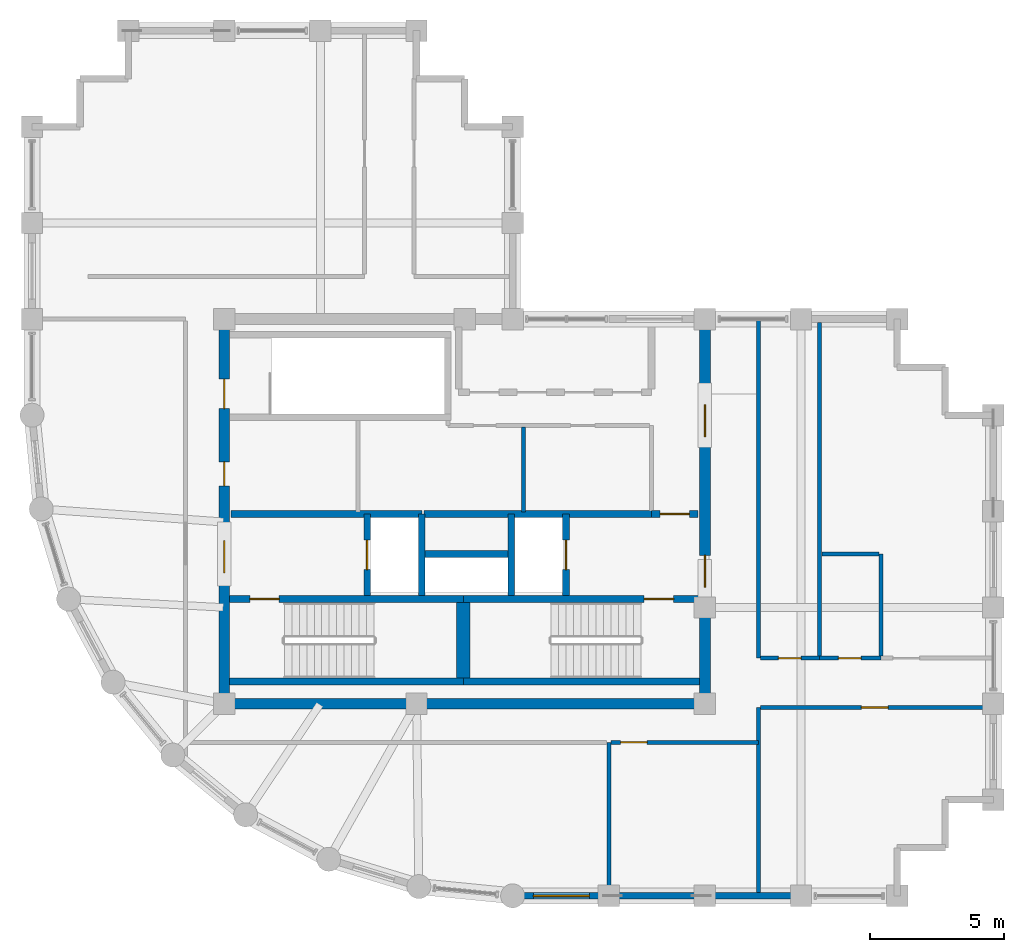
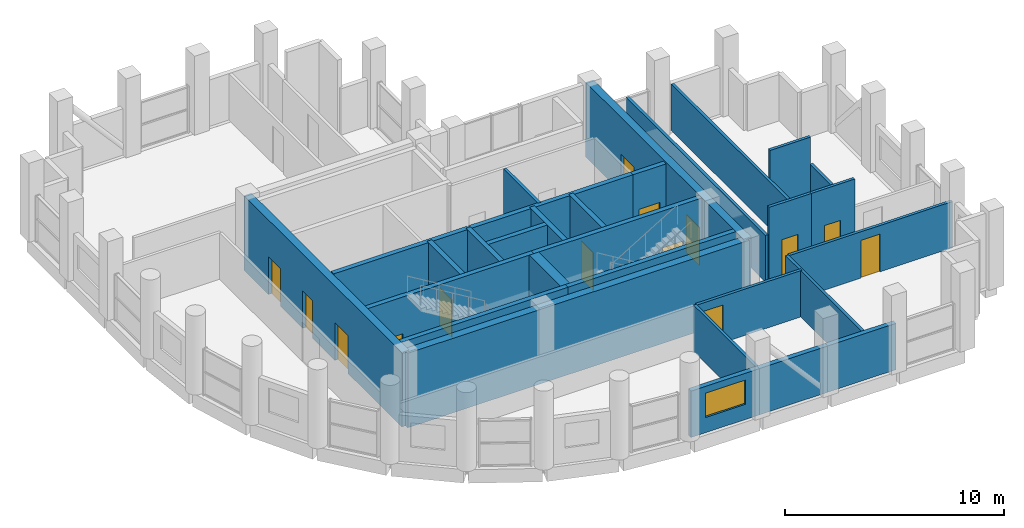
# One storey, part 11 of 14: 30 walls, 14 doors, 1 window, 15 openings.
"""IFC4 building model written with IfcOpenShell, lengths in metres."""

from ifc_helpers import new_model, si_unit, direction, frame, frame_2d, origin, place, context, subcontext, project, spatial, rectangle, extrude, material, layer, layer_set, type_object, element, fill, save


model = new_model("IFC4")

# Units and contexts
model_context = context("Model", 3, precision=1e-05, world=origin(), true_north=direction((0.0, 1.0)))
body_context = subcontext(model_context, "Body", "Model", "MODEL_VIEW")
ifc_project = project(units=[si_unit("LENGTHUNIT", "METRE"), si_unit("AREAUNIT", "SQUARE_METRE"), si_unit("VOLUMEUNIT", "CUBIC_METRE"), si_unit("PLANEANGLEUNIT", "RADIAN"), si_unit("MASSUNIT", "GRAM", prefix="KILO")], contexts=[model_context])

# Site, building, storey
site_placement = place(None, origin())
site = spatial("IfcSite", under=ifc_project, at=site_placement, CompositionType="ELEMENT")
building_placement = place(site_placement, origin())
building = spatial("IfcBuilding", under=site, at=building_placement, Name="Solnavia Interchange Tower", CompositionType="ELEMENT")
storey_placement = place(building_placement, frame((0.0, 0.0, 299.800048828125)))
storey = spatial("IfcBuildingStorey", under=building, at=storey_placement, Name="L76", CompositionType="ELEMENT", Elevation=299.800048828125)

# Wall, opening, window
ifc_material_1 = material(Name="Concrete C40/50", Category="concrete")
ifc_layer_1 = layer(ifc_material_1, 0.25)
ifc_layer_set_1 = layer_set([ifc_layer_1], Name="Concrete C40/50")
wall_type_1 = type_object("IfcWallType", Name="Wall-ExtSpandrel-250", PredefinedType="STANDARD", material=ifc_layer_set_1)
wall_1_placement = place(storey_placement, frame((28.800048828125, 3.60009765625, 0.0), z_axis=(0.0, 0.0, 1.0), x_axis=(-1.0, 0.0, 0.0)))
wall_1 = element("IfcWall", 1, at=wall_1_placement, inside=storey, type_object=wall_type_1, Name="EXW-L76-01 Exterior precast spandrel wall", PredefinedType="STANDARD", context=body_context, shape_type="SweptSolid", body=[
    extrude(rectangle(XDim=3.60009765625, YDim=0.25, at=frame_2d((1.800048828125, 0.0))), origin(), (0.0, 0.0, 1.0), 2.579833984375),
])
opening_1_placement = place(wall_1_placement, frame((0.72509765625, 0.0, 0.85009765625)))
opening_1 = element("IfcOpeningElement", 2, at=opening_1_placement, cuts=wall_1, Name="Opening WIN-01", PredefinedType="OPENING", context=body_context, shape_type="SweptSolid", body=[
    extrude(rectangle(XDim=2.10009765625, YDim=1.35009765625, at=frame_2d((1.050048828125, 0.675048828125))), frame((0.0, 0.135009765625, 0.0), z_axis=(0.0, -1.0, 0.0), x_axis=(1.0, 0.0, 0.0)), (0.0, 0.0, 1.0), 0.27001953125),
])
ifc_material_2 = material(Name="Thermal-Break Aluminium & Low-E Glass", Category="aluminium")
window_type = type_object("IfcWindowType", Name="Window-Ribbon-2100x1350", PartitioningType="SINGLE_PANEL", PredefinedType="WINDOW", material=ifc_material_2)
window_placement = place(opening_1_placement, origin())
window = element("IfcWindow", 3, at=window_placement, inside=storey, type_object=window_type, Name="WIN-L76-01 Facade ribbon window", OverallHeight=1.35009765625, OverallWidth=2.10009765625, PartitioningType="SINGLE_PANEL", PredefinedType="WINDOW", context=body_context, shape_type="SweptSolid", body=[
    extrude(rectangle(XDim=2.10009765625, YDim=1.35009765625, at=frame_2d((1.050048828125, 0.675048828125))), frame((0.0, 0.030029296875, 0.0), z_axis=(0.0, -1.0, 0.0), x_axis=(1.0, 0.0, 0.0)), (0.0, 0.0, 1.0), 0.06005859375),
])
fill(opening_1, window)

# Walls
wall_2_placement = place(storey_placement, frame((32.39990234375, 3.60009765625, 0.0), z_axis=(0.0, 0.0, 1.0), x_axis=(-1.0, 0.0, 0.0)))
element("IfcWall", 4, at=wall_2_placement, inside=storey, type_object=wall_type_1, Name="EXW-L76-02 Exterior precast spandrel wall", PredefinedType="STANDARD", context=body_context, shape_type="SweptSolid", body=[
    extrude(rectangle(XDim=3.599853515625, YDim=0.25, at=frame_2d((1.7998046875, 0.0))), origin(), (0.0, 0.0, 1.0), 2.579833984375),
])
wall_3_placement = place(storey_placement, frame((36.0, 3.60009765625, 0.0), z_axis=(0.0, 0.0, 1.0), x_axis=(-1.0, 0.0, 0.0)))
element("IfcWall", 5, at=wall_3_placement, inside=storey, type_object=wall_type_1, Name="EXW-L76-03 Exterior precast spandrel wall", PredefinedType="STANDARD", context=body_context, shape_type="SweptSolid", body=[
    extrude(rectangle(XDim=3.60009765625, YDim=0.25, at=frame_2d((1.800048828125, 0.0))), origin(), (0.0, 0.0, 1.0), 2.579833984375),
])
ifc_material_3 = material(Name="Gypsum Plasterboard & Steel Stud", Category="steel")
ifc_layer_2 = layer(ifc_material_3, 0.14990234375)
ifc_layer_set_2 = layer_set([ifc_layer_2], Name="Gypsum Plasterboard & Steel Stud")
wall_type_2 = type_object("IfcWallType", Name="Wall-Partition-150", PredefinedType="PARTITIONING", material=ifc_layer_set_2)
wall_4_placement = place(storey_placement, frame((25.60009765625, 17.97998046875, 0.0), z_axis=(0.0, 0.0, 1.0), x_axis=(0.0, 1.0, 0.0)))
element("IfcWall", 6, at=wall_4_placement, inside=storey, type_object=wall_type_2, Name="CSW-L76-M2 Core shaft wall", PredefinedType="PARTITIONING", context=body_context, shape_type="SweptSolid", body=[
    extrude(rectangle(XDim=3.169921875, YDim=0.14990234375, at=frame_2d((1.5849609375, 0.0))), origin(), (0.0, 0.0, 1.0), 4.135009765625),
])
wall_5_placement = place(storey_placement, frame((28.800048828125, 9.35009765625, 0.0), z_axis=(0.0, 0.0, 1.0), x_axis=(0.0, -1.0, 0.0)))
element("IfcWall", 7, at=wall_5_placement, inside=storey, type_object=wall_type_2, Name="PTW-L76-08 Interior partition wall", PredefinedType="PARTITIONING", context=body_context, shape_type="SweptSolid", body=[
    extrude(rectangle(XDim=5.62109375, YDim=0.14990234375, at=frame_2d((2.810546875, 0.0))), origin(), (0.0, 0.0, 1.0), 2.579833984375),
])

# Wall, opening, door
wall_6_placement = place(storey_placement, frame((28.87890625, 9.35009765625, 0.0), z_axis=(0.0, 0.0, 1.0), x_axis=(1.0, 0.0, 0.0)))
wall_6 = element("IfcWall", 8, at=wall_6_placement, inside=storey, type_object=wall_type_2, Name="PTW-L76-11 Interior partition wall", PredefinedType="PARTITIONING", context=body_context, shape_type="SweptSolid", body=[
    extrude(rectangle(XDim=5.52099609375, YDim=0.14990234375, at=frame_2d((2.760498046875, 0.0))), origin(), (0.0, 0.0, 1.0), 2.579833984375),
])
opening_2_placement = place(wall_6_placement, frame((0.360107421875, 0.0, 0.0)))
opening_2 = element("IfcOpeningElement", 9, at=opening_2_placement, cuts=wall_6, Name="Opening DR-07", PredefinedType="OPENING", context=body_context, shape_type="SweptSolid", body=[
    extrude(rectangle(XDim=1.0, YDim=2.10009765625, at=frame_2d((0.5, 1.050048828125))), frame((0.0, 0.0849609375, 0.0), z_axis=(0.0, -1.0, 0.0), x_axis=(1.0, 0.0, 0.0)), (0.0, 0.0, 1.0), 0.169921875),
])
ifc_material_4 = material(Name="Timber & Acoustic Glazed Office Door", Category="wood")
door_type_1 = type_object("IfcDoorType", Name="Door-Office-1000x2100", OperationType="SINGLE_SWING_RIGHT", PredefinedType="DOOR", material=ifc_material_4)
door_1_placement = place(opening_2_placement, origin())
door_1 = element("IfcDoor", 10, at=door_1_placement, inside=storey, type_object=door_type_1, Name="DR-L76-04 Interior room door", OperationType="SINGLE_SWING_LEFT", OverallHeight=2.10009765625, OverallWidth=1.0, PredefinedType="DOOR", context=body_context, shape_type="SweptSolid", body=[
    extrude(rectangle(XDim=1.0, YDim=2.10009765625, at=frame_2d((0.5, 1.050048828125))), frame((0.0, 0.02490234375, 0.0), z_axis=(0.0, -1.0, 0.0), x_axis=(1.0, 0.0, 0.0)), (0.0, 0.0, 1.0), 0.050048828125),
])
fill(opening_2, door_1)

# Wall
wall_7_placement = place(storey_placement, frame((34.39990234375, 3.72900390625, 0.0), z_axis=(0.0, 0.0, 1.0), x_axis=(0.0, 1.0, 0.0)))
element("IfcWall", 11, at=wall_7_placement, inside=storey, type_object=wall_type_2, Name="PTW-L76-12 Interior partition wall", PredefinedType="PARTITIONING", context=body_context, shape_type="SweptSolid", body=[
    extrude(rectangle(XDim=6.9208984375, YDim=0.14990234375, at=frame_2d((3.46044921875, 0.0))), origin(), (0.0, 0.0, 1.0), 2.579833984375),
])

# Wall, opening, door
wall_8_placement = place(storey_placement, frame((34.47900390625, 10.64990234375, 0.0), z_axis=(0.0, 0.0, 1.0), x_axis=(1.0, 0.0, 0.0)))
wall_8 = element("IfcWall", 12, at=wall_8_placement, inside=storey, type_object=wall_type_2, Name="PTW-L76-13 Interior partition wall", PredefinedType="PARTITIONING", context=body_context, shape_type="SweptSolid", body=[
    extrude(rectangle(XDim=8.592041015625, YDim=0.14990234375, at=frame_2d((4.2958984375, 0.0))), origin(), (0.0, 0.0, 1.0), 2.579833984375),
])
opening_3_placement = place(wall_8_placement, frame((3.781005859375, 0.0, 0.0)))
opening_3 = element("IfcOpeningElement", 13, at=opening_3_placement, cuts=wall_8, Name="Opening DR-07", PredefinedType="OPENING", context=body_context, shape_type="SweptSolid", body=[
    extrude(rectangle(XDim=1.0, YDim=2.10009765625, at=frame_2d((0.5, 1.050048828125))), frame((0.0, 0.0849609375, 0.0), z_axis=(0.0, -1.0, 0.0), x_axis=(1.0, 0.0, 0.0)), (0.0, 0.0, 1.0), 0.169921875),
])
door_2_placement = place(opening_3_placement, origin())
door_2 = element("IfcDoor", 14, at=door_2_placement, inside=storey, type_object=door_type_1, Name="DR-L76-05 Interior room door", OperationType="SINGLE_SWING_LEFT", OverallHeight=2.10009765625, OverallWidth=1.0, PredefinedType="DOOR", context=body_context, shape_type="SweptSolid", body=[
    extrude(rectangle(XDim=1.0, YDim=2.10009765625, at=frame_2d((0.5, 1.050048828125))), frame((0.0, 0.02490234375, 0.0), z_axis=(0.0, -1.0, 0.0), x_axis=(1.0, 0.0, 0.0)), (0.0, 0.0, 1.0), 0.050048828125),
])
fill(opening_3, door_2)

# Wall
ifc_layer_3 = layer(ifc_material_1, 0.25)
ifc_layer_set_3 = layer_set([ifc_layer_3], Name="Concrete C40/50")
wall_type_3 = type_object("IfcWallType", Name="Wall-ShaftCore-250", PredefinedType="SHEAR", material=ifc_layer_set_3)
wall_9_placement = place(storey_placement, frame((14.60009765625, 11.625, 0.0), z_axis=(0.0, 0.0, 1.0), x_axis=(1.0, 0.0, 0.0)))
element("IfcWall", 15, at=wall_9_placement, inside=storey, type_object=wall_type_3, Name="SHW-L76-ST1S Core shear wall", PredefinedType="SHEAR", context=body_context, shape_type="SweptSolid", body=[
    extrude(rectangle(XDim=8.75, YDim=0.25, at=frame_2d((4.375, 0.0))), origin(), (0.0, 0.0, 1.0), 4.14990234375),
])

# Wall, opening, door
wall_10_placement = place(storey_placement, frame((14.60009765625, 14.715087890625, 0.0), z_axis=(0.0, 0.0, 1.0), x_axis=(1.0, 0.0, 0.0)))
wall_10 = element("IfcWall", 16, at=wall_10_placement, inside=storey, type_object=wall_type_3, Name="SHW-L76-ST1N Core shear wall", PredefinedType="SHEAR", context=body_context, shape_type="SweptSolid", body=[
    extrude(rectangle(XDim=8.75, YDim=0.25, at=frame_2d((4.375, 0.0))), origin(), (0.0, 0.0, 1.0), 4.14990234375),
])
opening_4_placement = place(wall_10_placement, frame((0.7548828125, 0.0, 0.0)))
opening_4 = element("IfcOpeningElement", 17, at=opening_4_placement, cuts=wall_10, Name="Opening DR-01", PredefinedType="OPENING", context=body_context, shape_type="SweptSolid", body=[
    extrude(rectangle(XDim=1.10009765625, YDim=2.10009765625, at=frame_2d((0.550048828125, 1.050048828125))), frame((0.0, 0.135009765625, 0.0), z_axis=(0.0, -1.0, 0.0), x_axis=(1.0, 0.0, 0.0)), (0.0, 0.0, 1.0), 0.27001953125),
])
ifc_material_5 = material(Name="Steel Fire-Rated Leaf & Frame", Category="steel")
door_type_2 = type_object("IfcDoorType", Name="Door-StairFire-1100x2100", OperationType="SINGLE_SWING_LEFT", PredefinedType="DOOR", material=ifc_material_5)
door_3_placement = place(opening_4_placement, origin())
door_3 = element("IfcDoor", 18, at=door_3_placement, inside=storey, type_object=door_type_2, Name="DR-L76-ST1 Core fire door", OperationType="SINGLE_SWING_LEFT", OverallHeight=2.10009765625, OverallWidth=1.10009765625, PredefinedType="DOOR", context=body_context, shape_type="SweptSolid", body=[
    extrude(rectangle(XDim=1.10009765625, YDim=2.10009765625, at=frame_2d((0.550048828125, 1.050048828125))), frame((0.0, 0.02490234375, 0.0), z_axis=(0.0, -1.0, 0.0), x_axis=(1.0, 0.0, 0.0)), (0.0, 0.0, 1.0), 0.050048828125),
])
fill(opening_4, door_3)

# Wall
wall_11_placement = place(storey_placement, frame((23.35009765625, 11.625, 0.0), z_axis=(0.0, 0.0, 1.0), x_axis=(1.0, 0.0, 0.0)))
element("IfcWall", 19, at=wall_11_placement, inside=storey, type_object=wall_type_3, Name="SHW-L76-ST2S Core shear wall", PredefinedType="SHEAR", context=body_context, shape_type="SweptSolid", body=[
    extrude(rectangle(XDim=8.849853515625, YDim=0.25, at=frame_2d((4.4248046875, 0.0))), origin(), (0.0, 0.0, 1.0), 4.14990234375),
])

# Wall, opening, door
wall_12_placement = place(storey_placement, frame((23.35009765625, 14.715087890625, 0.0), z_axis=(0.0, 0.0, 1.0), x_axis=(1.0, 0.0, 0.0)))
wall_12 = element("IfcWall", 20, at=wall_12_placement, inside=storey, type_object=wall_type_3, Name="SHW-L76-ST2N Core shear wall", PredefinedType="SHEAR", context=body_context, shape_type="SweptSolid", body=[
    extrude(rectangle(XDim=8.849853515625, YDim=0.25, at=frame_2d((4.4248046875, 0.0))), origin(), (0.0, 0.0, 1.0), 4.14990234375),
])
opening_5_placement = place(wall_12_placement, frame((6.77490234375, 0.0, 0.0)))
opening_5 = element("IfcOpeningElement", 21, at=opening_5_placement, cuts=wall_12, Name="Opening DR-01", PredefinedType="OPENING", context=body_context, shape_type="SweptSolid", body=[
    extrude(rectangle(XDim=1.10009765625, YDim=2.10009765625, at=frame_2d((0.550048828125, 1.050048828125))), frame((0.0, 0.135009765625, 0.0), z_axis=(0.0, -1.0, 0.0), x_axis=(1.0, 0.0, 0.0)), (0.0, 0.0, 1.0), 0.27001953125),
])
door_4_placement = place(opening_5_placement, origin())
door_4 = element("IfcDoor", 22, at=door_4_placement, inside=storey, type_object=door_type_2, Name="DR-L76-ST2 Core fire door", OperationType="SINGLE_SWING_LEFT", OverallHeight=2.10009765625, OverallWidth=1.10009765625, PredefinedType="DOOR", context=body_context, shape_type="SweptSolid", body=[
    extrude(rectangle(XDim=1.10009765625, YDim=2.10009765625, at=frame_2d((0.550048828125, 1.050048828125))), frame((0.0, 0.02490234375, 0.0), z_axis=(0.0, -1.0, 0.0), x_axis=(1.0, 0.0, 0.0)), (0.0, 0.0, 1.0), 0.050048828125),
])
fill(opening_5, door_4)

# Wall
ifc_layer_4 = layer(ifc_material_1, 0.25)
ifc_layer_set_4 = layer_set([ifc_layer_4], Name="Concrete C40/50")
wall_type_4 = type_object("IfcWallType", Name="Wall-ShaftPart-250", PredefinedType="PARTITIONING", material=ifc_layer_set_4)
wall_13_placement = place(storey_placement, frame((14.64990234375, 17.89990234375, 0.0), z_axis=(0.0, 0.0, 1.0), x_axis=(1.0, 0.0, 0.0)))
element("IfcWall", 23, at=wall_13_placement, inside=storey, type_object=wall_type_4, Name="SHW-L76-FFLW-N Core shaft wall", PredefinedType="PARTITIONING", context=body_context, shape_type="SweptSolid", body=[
    extrude(rectangle(XDim=7.150146484375, YDim=0.25, at=frame_2d((3.5751953125, 0.0))), origin(), (0.0, 0.0, 1.0), 4.135009765625),
])

# Wall, opening, door
wall_14_placement = place(storey_placement, frame((19.75, 14.840087890625, 0.0), z_axis=(0.0, 0.0, 1.0), x_axis=(0.0, 1.0, 0.0)))
wall_14 = element("IfcWall", 24, at=wall_14_placement, inside=storey, type_object=wall_type_4, Name="SHW-L76-FFL1-W Core shaft wall", PredefinedType="PARTITIONING", context=body_context, shape_type="SweptSolid", body=[
    extrude(rectangle(XDim=3.059814453125, YDim=0.25, at=frame_2d((1.52978515625, 0.0))), origin(), (0.0, 0.0, 1.0), 4.135009765625),
])
opening_6_placement = place(wall_14_placement, frame((0.97998046875, 0.0, 0.0)))
opening_6 = element("IfcOpeningElement", 25, at=opening_6_placement, cuts=wall_14, Name="Opening LD-01", PredefinedType="OPENING", context=body_context, shape_type="SweptSolid", body=[
    extrude(rectangle(XDim=1.10009765625, YDim=2.10009765625, at=frame_2d((0.550048828125, 1.050048828125))), frame((0.0, 0.135009765625, 0.0), z_axis=(0.0, -1.0, 0.0), x_axis=(1.0, 0.0, 0.0)), (0.0, 0.0, 1.0), 0.27001953125),
])
ifc_material_6 = material(Name="Brushed Stainless Steel Sliding Door", Category="steel")
door_type_3 = type_object("IfcDoorType", Name="Door-LiftLanding-1100x2100", OperationType="SLIDING_TO_LEFT", PredefinedType="DOOR", material=ifc_material_6)
door_5_placement = place(opening_6_placement, origin())
door_5 = element("IfcDoor", 26, at=door_5_placement, inside=storey, type_object=door_type_3, Name="LD-L76-FFL1 Lift landing sliding door", OperationType="SLIDING_TO_LEFT", OverallHeight=2.10009765625, OverallWidth=1.10009765625, PredefinedType="DOOR", context=body_context, shape_type="SweptSolid", body=[
    extrude(rectangle(XDim=1.10009765625, YDim=2.10009765625, at=frame_2d((0.550048828125, 1.050048828125))), frame((0.0, 0.02490234375, 0.0), z_axis=(0.0, -1.0, 0.0), x_axis=(1.0, 0.0, 0.0)), (0.0, 0.0, 1.0), 0.050048828125),
])
fill(opening_6, door_5)

# Walls
wall_15_placement = place(storey_placement, frame((21.800048828125, 14.840087890625, 0.0), z_axis=(0.0, 0.0, 1.0), x_axis=(0.0, 1.0, 0.0)))
element("IfcWall", 27, at=wall_15_placement, inside=storey, type_object=wall_type_4, Name="SHW-L76-FFL1-E Core shaft wall", PredefinedType="PARTITIONING", context=body_context, shape_type="SweptSolid", body=[
    extrude(rectangle(XDim=3.059814453125, YDim=0.25, at=frame_2d((1.52978515625, 0.0))), origin(), (0.0, 0.0, 1.0), 4.135009765625),
])
wall_16_placement = place(storey_placement, frame((21.8798828125, 17.89990234375, 0.0), z_axis=(0.0, 0.0, 1.0), x_axis=(1.0, 0.0, 0.0)))
element("IfcWall", 28, at=wall_16_placement, inside=storey, type_object=wall_type_4, Name="SHW-L76-FFLE-N1 Core shaft wall", PredefinedType="PARTITIONING", context=body_context, shape_type="SweptSolid", body=[
    extrude(rectangle(XDim=8.52001953125, YDim=0.25, at=frame_2d((4.260009765625, 0.0))), origin(), (0.0, 0.0, 1.0), 4.135009765625),
])

# Wall, opening, door
wall_17_placement = place(storey_placement, frame((30.39990234375, 17.89990234375, 0.0), z_axis=(0.0, 0.0, 1.0), x_axis=(1.0, 0.0, 0.0)))
wall_17 = element("IfcWall", 29, at=wall_17_placement, inside=storey, type_object=wall_type_4, Name="SHW-L76-FFLE-N2 Core shaft wall", PredefinedType="PARTITIONING", context=body_context, shape_type="SweptSolid", body=[
    extrude(rectangle(XDim=1.75, YDim=0.25, at=frame_2d((0.875, 0.0))), origin(), (0.0, 0.0, 1.0), 4.135009765625),
])
opening_7_placement = place(wall_17_placement, frame((0.320068359375, 0.0, 0.0)))
opening_7 = element("IfcOpeningElement", 30, at=opening_7_placement, cuts=wall_17, Name="Opening DR-01", PredefinedType="OPENING", context=body_context, shape_type="SweptSolid", body=[
    extrude(rectangle(XDim=1.10009765625, YDim=2.10009765625, at=frame_2d((0.550048828125, 1.050048828125))), frame((0.0, 0.135009765625, 0.0), z_axis=(0.0, -1.0, 0.0), x_axis=(1.0, 0.0, 0.0)), (0.0, 0.0, 1.0), 0.27001953125),
])
door_6_placement = place(opening_7_placement, origin())
door_6 = element("IfcDoor", 31, at=door_6_placement, inside=storey, type_object=door_type_2, Name="DR-L76-LLC Core fire door", OperationType="SINGLE_SWING_LEFT", OverallHeight=2.10009765625, OverallWidth=1.10009765625, PredefinedType="DOOR", context=body_context, shape_type="SweptSolid", body=[
    extrude(rectangle(XDim=1.10009765625, YDim=2.10009765625, at=frame_2d((0.550048828125, 1.050048828125))), frame((0.0, 0.02490234375, 0.0), z_axis=(0.0, -1.0, 0.0), x_axis=(1.0, 0.0, 0.0)), (0.0, 0.0, 1.0), 0.050048828125),
])
fill(opening_7, door_6)

# Wall
wall_18_placement = place(storey_placement, frame((25.14990234375, 14.840087890625, 0.0), z_axis=(0.0, 0.0, 1.0), x_axis=(0.0, 1.0, 0.0)))
element("IfcWall", 32, at=wall_18_placement, inside=storey, type_object=wall_type_4, Name="SHW-L76-FFL2-W Core shaft wall", PredefinedType="PARTITIONING", context=body_context, shape_type="SweptSolid", body=[
    extrude(rectangle(XDim=3.059814453125, YDim=0.25, at=frame_2d((1.52978515625, 0.0))), origin(), (0.0, 0.0, 1.0), 4.135009765625),
])

# Wall, opening, door
wall_19_placement = place(storey_placement, frame((27.199951171875, 14.840087890625, 0.0), z_axis=(0.0, 0.0, 1.0), x_axis=(0.0, 1.0, 0.0)))
wall_19 = element("IfcWall", 33, at=wall_19_placement, inside=storey, type_object=wall_type_4, Name="SHW-L76-FFL2-E Core shaft wall", PredefinedType="PARTITIONING", context=body_context, shape_type="SweptSolid", body=[
    extrude(rectangle(XDim=3.059814453125, YDim=0.25, at=frame_2d((1.52978515625, 0.0))), origin(), (0.0, 0.0, 1.0), 4.135009765625),
])
opening_8_placement = place(wall_19_placement, frame((0.97998046875, 0.0, 0.0)))
opening_8 = element("IfcOpeningElement", 34, at=opening_8_placement, cuts=wall_19, Name="Opening LD-01", PredefinedType="OPENING", context=body_context, shape_type="SweptSolid", body=[
    extrude(rectangle(XDim=1.10009765625, YDim=2.10009765625, at=frame_2d((0.550048828125, 1.050048828125))), frame((0.0, 0.135009765625, 0.0), z_axis=(0.0, -1.0, 0.0), x_axis=(1.0, 0.0, 0.0)), (0.0, 0.0, 1.0), 0.27001953125),
])
door_7_placement = place(opening_8_placement, origin())
door_7 = element("IfcDoor", 35, at=door_7_placement, inside=storey, type_object=door_type_3, Name="LD-L76-FFL2 Lift landing sliding door", OperationType="SLIDING_TO_LEFT", OverallHeight=2.10009765625, OverallWidth=1.10009765625, PredefinedType="DOOR", context=body_context, shape_type="SweptSolid", body=[
    extrude(rectangle(XDim=1.10009765625, YDim=2.10009765625, at=frame_2d((0.550048828125, 1.050048828125))), frame((0.0, 0.02490234375, 0.0), z_axis=(0.0, -1.0, 0.0), x_axis=(1.0, 0.0, 0.0)), (0.0, 0.0, 1.0), 0.050048828125),
])
fill(opening_8, door_7)

# Walls
wall_20_placement = place(storey_placement, frame((21.800048828125, 16.39990234375, 0.0), z_axis=(0.0, 0.0, 1.0), x_axis=(1.0, 0.0, 0.0)))
element("IfcWall", 36, at=wall_20_placement, inside=storey, type_object=wall_type_4, Name="SHW-L76-MEP-N Core shaft wall", PredefinedType="PARTITIONING", context=body_context, shape_type="SweptSolid", body=[
    extrude(rectangle(XDim=3.349853515625, YDim=0.25, at=frame_2d((1.6748046875, 0.0))), origin(), (0.0, 0.0, 1.0), 4.135009765625),
])
ifc_material_7 = material(Name="Concrete C50/60", Category="concrete")
ifc_layer_5 = layer(ifc_material_7, 0.39990234375)
ifc_layer_set_5 = layer_set([ifc_layer_5], Name="Concrete C50/60")
wall_type_5 = type_object("IfcWallType", Name="Wall-ShearCore-400", PredefinedType="SHEAR", material=ifc_layer_set_5)
wall_21_placement = place(storey_placement, frame((14.39990234375, 10.800048828125, 0.0), z_axis=(0.0, 0.0, 1.0), x_axis=(1.0, 0.0, 0.0)))
element("IfcWall", 37, at=wall_21_placement, inside=storey, type_object=wall_type_5, Name="CRW-L76-S Core shear wall", PredefinedType="SHEAR", context=body_context, shape_type="SweptSolid", body=[
    extrude(rectangle(XDim=18.0, YDim=0.39990234375, at=frame_2d((9.0, 0.0))), origin(), (0.0, 0.0, 1.0), 4.14990234375),
])

# Wall, openings, doors
wall_22_placement = place(storey_placement, frame((14.39990234375, 10.800048828125, 0.0), z_axis=(0.0, 0.0, 1.0), x_axis=(0.0, 1.0, 0.0)))
wall_22 = element("IfcWall", 38, at=wall_22_placement, inside=storey, type_object=wall_type_5, Name="CRW-L76-W Core shear wall", PredefinedType="SHEAR", context=body_context, shape_type="SweptSolid", body=[
    extrude(rectangle(XDim=14.39990234375, YDim=0.39990234375, at=frame_2d((7.199951171875, 0.0))), origin(), (0.0, 0.0, 1.0), 4.14990234375),
])
opening_9_placement = place(wall_22_placement, frame((11.050048828125, 0.0, 0.0)))
opening_9 = element("IfcOpeningElement", 39, at=opening_9_placement, cuts=wall_22, Name="Opening DR-01", PredefinedType="OPENING", context=body_context, shape_type="SweptSolid", body=[
    extrude(rectangle(XDim=1.10009765625, YDim=2.10009765625, at=frame_2d((0.550048828125, 1.050048828125))), frame((0.0, 0.2099609375, 0.0), z_axis=(0.0, -1.0, 0.0), x_axis=(1.0, 0.0, 0.0)), (0.0, 0.0, 1.0), 0.419921875),
])
opening_10_placement = place(wall_22_placement, frame((4.89990234375, 0.0, 0.0)))
opening_10 = element("IfcOpeningElement", 40, at=opening_10_placement, cuts=wall_22, Name="Opening DR-02", PredefinedType="OPENING", context=body_context, shape_type="SweptSolid", body=[
    extrude(rectangle(XDim=1.199951171875, YDim=2.10009765625, at=frame_2d((0.60009765625, 1.050048828125))), frame((0.0, 0.2099609375, 0.0), z_axis=(0.0, -1.0, 0.0), x_axis=(1.0, 0.0, 0.0)), (0.0, 0.0, 1.0), 0.419921875),
])
opening_11_placement = place(wall_22_placement, frame((8.14990234375, 0.0, 0.0)))
opening_11 = element("IfcOpeningElement", 41, at=opening_11_placement, cuts=wall_22, Name="Opening DR-09", PredefinedType="OPENING", context=body_context, shape_type="SweptSolid", body=[
    extrude(rectangle(XDim=0.89990234375, YDim=2.10009765625, at=frame_2d((0.449951171875, 1.050048828125))), frame((0.0, 0.2099609375, 0.0), z_axis=(0.0, -1.0, 0.0), x_axis=(1.0, 0.0, 0.0)), (0.0, 0.0, 1.0), 0.419921875),
])
ifc_material_8 = material(Name="Engineered Oak Veneer Door", Category="wood")
door_type_4 = type_object("IfcDoorType", Name="Door-Internal-900x2100", OperationType="SINGLE_SWING_LEFT", PredefinedType="DOOR", material=ifc_material_8)
door_8_placement = place(opening_11_placement, origin())
door_8 = element("IfcDoor", 42, at=door_8_placement, inside=storey, type_object=door_type_4, Name="DR-L76-CS1 Core fire door", OperationType="SINGLE_SWING_RIGHT", OverallHeight=2.10009765625, OverallWidth=0.89990234375, PredefinedType="DOOR", context=body_context, shape_type="SweptSolid", body=[
    extrude(rectangle(XDim=0.89990234375, YDim=2.10009765625, at=frame_2d((0.449951171875, 1.050048828125))), frame((0.0, 0.02490234375, 0.0), z_axis=(0.0, -1.0, 0.0), x_axis=(1.0, 0.0, 0.0)), (0.0, 0.0, 1.0), 0.050048828125),
])
fill(opening_11, door_8)
ifc_material_9 = material(Name="Steel Fire-Rated Vision-Panel Door", Category="steel")
door_type_5 = type_object("IfcDoorType", Name="Door-LobbyFire-1200x2100", OperationType="SINGLE_SWING_RIGHT", PredefinedType="DOOR", material=ifc_material_9)
door_9_placement = place(opening_10_placement, origin())
door_9 = element("IfcDoor", 43, at=door_9_placement, inside=storey, type_object=door_type_5, Name="DR-L76-FFL1W Core fire door", OperationType="SINGLE_SWING_RIGHT", OverallHeight=2.10009765625, OverallWidth=1.199951171875, PredefinedType="DOOR", context=body_context, shape_type="SweptSolid", body=[
    extrude(rectangle(XDim=1.199951171875, YDim=2.10009765625, at=frame_2d((0.60009765625, 1.050048828125))), frame((0.0, 0.02490234375, 0.0), z_axis=(0.0, -1.0, 0.0), x_axis=(1.0, 0.0, 0.0)), (0.0, 0.0, 1.0), 0.050048828125),
])
fill(opening_10, door_9)
door_10_placement = place(opening_9_placement, origin())
door_10 = element("IfcDoor", 44, at=door_10_placement, inside=storey, type_object=door_type_2, Name="DR-L76-ST3 Core fire door", OperationType="SINGLE_SWING_RIGHT", OverallHeight=2.10009765625, OverallWidth=1.10009765625, PredefinedType="DOOR", context=body_context, shape_type="SweptSolid", body=[
    extrude(rectangle(XDim=1.10009765625, YDim=2.10009765625, at=frame_2d((0.550048828125, 1.050048828125))), frame((0.0, 0.02490234375, 0.0), z_axis=(0.0, -1.0, 0.0), x_axis=(1.0, 0.0, 0.0)), (0.0, 0.0, 1.0), 0.050048828125),
])
fill(opening_9, door_10)

wall_23_placement = place(storey_placement, frame((32.39990234375, 10.800048828125, 0.0), z_axis=(0.0, 0.0, 1.0), x_axis=(0.0, 1.0, 0.0)))
wall_23 = element("IfcWall", 45, at=wall_23_placement, inside=storey, type_object=wall_type_5, Name="CRW-L76-E Core shear wall", PredefinedType="SHEAR", context=body_context, shape_type="SweptSolid", body=[
    extrude(rectangle(XDim=14.39990234375, YDim=0.39990234375, at=frame_2d((7.199951171875, 0.0))), origin(), (0.0, 0.0, 1.0), 4.14990234375),
])
opening_12_placement = place(wall_23_placement, frame((4.35009765625, 0.0, 0.0)))
opening_12 = element("IfcOpeningElement", 46, at=opening_12_placement, cuts=wall_23, Name="Opening DR-02", PredefinedType="OPENING", context=body_context, shape_type="SweptSolid", body=[
    extrude(rectangle(XDim=1.199951171875, YDim=2.10009765625, at=frame_2d((0.60009765625, 1.050048828125))), frame((0.0, 0.2099609375, 0.0), z_axis=(0.0, -1.0, 0.0), x_axis=(1.0, 0.0, 0.0)), (0.0, 0.0, 1.0), 0.419921875),
])
opening_13_placement = place(wall_23_placement, frame((10.0, 0.0, 0.0)))
opening_13 = element("IfcOpeningElement", 47, at=opening_13_placement, cuts=wall_23, Name="Opening DR-02", PredefinedType="OPENING", context=body_context, shape_type="SweptSolid", body=[
    extrude(rectangle(XDim=1.199951171875, YDim=2.10009765625, at=frame_2d((0.60009765625, 1.050048828125))), frame((0.0, 0.2099609375, 0.0), z_axis=(0.0, -1.0, 0.0), x_axis=(1.0, 0.0, 0.0)), (0.0, 0.0, 1.0), 0.419921875),
])
door_11_placement = place(opening_12_placement, origin())
door_11 = element("IfcDoor", 48, at=door_11_placement, inside=storey, type_object=door_type_5, Name="DR-L76-FFL2E Core fire door", OperationType="SINGLE_SWING_LEFT", OverallHeight=2.10009765625, OverallWidth=1.199951171875, PredefinedType="DOOR", context=body_context, shape_type="SweptSolid", body=[
    extrude(rectangle(XDim=1.199951171875, YDim=2.10009765625, at=frame_2d((0.60009765625, 1.050048828125))), frame((0.0, 0.02490234375, 0.0), z_axis=(0.0, -1.0, 0.0), x_axis=(1.0, 0.0, 0.0)), (0.0, 0.0, 1.0), 0.050048828125),
])
fill(opening_12, door_11)
door_12_placement = place(opening_13_placement, origin())
door_12 = element("IfcDoor", 49, at=door_12_placement, inside=storey, type_object=door_type_5, Name="DR-L76-LLE Core fire door", OperationType="SINGLE_SWING_RIGHT", OverallHeight=2.10009765625, OverallWidth=1.199951171875, PredefinedType="DOOR", context=body_context, shape_type="SweptSolid", body=[
    extrude(rectangle(XDim=1.199951171875, YDim=2.10009765625, at=frame_2d((0.60009765625, 1.050048828125))), frame((0.0, 0.02490234375, 0.0), z_axis=(0.0, -1.0, 0.0), x_axis=(1.0, 0.0, 0.0)), (0.0, 0.0, 1.0), 0.050048828125),
])
fill(opening_13, door_12)

# Walls
ifc_material_10 = material(Name="Concrete C60/75", Category="concrete")
ifc_layer_6 = layer(ifc_material_10, 0.5)
ifc_layer_set_6 = layer_set([ifc_layer_6], Name="Concrete C60/75")
wall_type_6 = type_object("IfcWallType", Name="Wall-ShearCore-500", PredefinedType="SHEAR", material=ifc_layer_set_6)
wall_24_placement = place(storey_placement, frame((23.35009765625, 11.75, 0.0), z_axis=(0.0, 0.0, 1.0), x_axis=(0.0, 1.0, 0.0)))
element("IfcWall", 50, at=wall_24_placement, inside=storey, type_object=wall_type_6, Name="SHW-L76-ST12M Core shear wall", PredefinedType="SHEAR", context=body_context, shape_type="SweptSolid", body=[
    extrude(rectangle(XDim=2.840087890625, YDim=0.5, at=frame_2d((1.419921875, 0.0))), origin(), (0.0, 0.0, 1.0), 4.14990234375),
])
ifc_material_11 = material(Name="Moisture-Resistant Gypsum & Steel Stud", Category="steel")
ifc_layer_7 = layer(ifc_material_11, 0.14990234375)
ifc_layer_set_7 = layer_set([ifc_layer_7], Name="Moisture-Resistant Gypsum & Steel Stud")
wall_type_7 = type_object("IfcWallType", Name="Wall-WetRoom-150", PredefinedType="PARTITIONING", material=ifc_layer_set_7)
wall_25_placement = place(storey_placement, frame((34.39990234375, 12.5, 0.0), z_axis=(0.0, 0.0, 1.0), x_axis=(0.0, 1.0, 0.0)))
element("IfcWall", 51, at=wall_25_placement, inside=storey, type_object=wall_type_7, Name="PTW-L76-01 Interior partition wall", PredefinedType="PARTITIONING", context=body_context, shape_type="SweptSolid", body=[
    extrude(rectangle(XDim=12.699951171875, YDim=0.14990234375, at=frame_2d((6.35009765625, 0.0))), origin(), (0.0, 0.0, 1.0), 2.579833984375),
])

# Wall, opening, door
wall_26_placement = place(storey_placement, frame((34.47900390625, 12.5, 0.0), z_axis=(0.0, 0.0, 1.0), x_axis=(1.0, 0.0, 0.0)))
wall_26 = element("IfcWall", 52, at=wall_26_placement, inside=storey, type_object=wall_type_7, Name="PTW-L76-02 Interior partition wall", PredefinedType="PARTITIONING", context=body_context, shape_type="SweptSolid", body=[
    extrude(rectangle(XDim=2.220947265625, YDim=0.14990234375, at=frame_2d((1.1103515625, 0.0))), origin(), (0.0, 0.0, 1.0), 4.135009765625),
])
opening_14_placement = place(wall_26_placement, frame((0.674072265625, 0.0, 0.0)))
opening_14 = element("IfcOpeningElement", 53, at=opening_14_placement, cuts=wall_26, Name="Opening DR-10", PredefinedType="OPENING", context=body_context, shape_type="SweptSolid", body=[
    extrude(rectangle(XDim=0.85009765625, YDim=2.10009765625, at=frame_2d((0.425048828125, 1.050048828125))), frame((0.0, 0.0849609375, 0.0), z_axis=(0.0, -1.0, 0.0), x_axis=(1.0, 0.0, 0.0)), (0.0, 0.0, 1.0), 0.169921875),
])
ifc_material_12 = material(Name="Moisture-Resistant Timber Door", Category="wood")
door_type_6 = type_object("IfcDoorType", Name="Door-Bathroom-850x2100", OperationType="SINGLE_SWING_RIGHT", PredefinedType="DOOR", material=ifc_material_12)
door_13_placement = place(opening_14_placement, origin())
door_13 = element("IfcDoor", 54, at=door_13_placement, inside=storey, type_object=door_type_6, Name="DR-L76-01 Interior room door", OperationType="SINGLE_SWING_LEFT", OverallHeight=2.10009765625, OverallWidth=0.85009765625, PredefinedType="DOOR", context=body_context, shape_type="SweptSolid", body=[
    extrude(rectangle(XDim=0.85009765625, YDim=2.10009765625, at=frame_2d((0.425048828125, 1.050048828125))), frame((0.0, 0.02490234375, 0.0), z_axis=(0.0, -1.0, 0.0), x_axis=(1.0, 0.0, 0.0)), (0.0, 0.0, 1.0), 0.050048828125),
])
fill(opening_14, door_13)

# Wall
wall_27_placement = place(storey_placement, frame((36.699951171875, 12.5791015625, 0.0), z_axis=(0.0, 0.0, 1.0), x_axis=(0.0, 1.0, 0.0)))
element("IfcWall", 55, at=wall_27_placement, inside=storey, type_object=wall_type_7, Name="PTW-L76-03 Interior partition wall", PredefinedType="PARTITIONING", context=body_context, shape_type="SweptSolid", body=[
    extrude(rectangle(XDim=12.491943359375, YDim=0.14990234375, at=frame_2d((6.24609375, 0.0))), origin(), (0.0, 0.0, 1.0), 2.579833984375),
])

# Wall, opening, door
wall_28_placement = place(storey_placement, frame((36.699951171875, 12.5, 0.0), z_axis=(0.0, 0.0, 1.0), x_axis=(1.0, 0.0, 0.0)))
wall_28 = element("IfcWall", 56, at=wall_28_placement, inside=storey, type_object=wall_type_7, Name="PTW-L76-04 Interior partition wall", PredefinedType="PARTITIONING", context=body_context, shape_type="SweptSolid", body=[
    extrude(rectangle(XDim=2.300048828125, YDim=0.14990234375, at=frame_2d((1.14990234375, 0.0))), origin(), (0.0, 0.0, 1.0), 4.135009765625),
])
opening_15_placement = place(wall_28_placement, frame((0.697021484375, 0.0, 0.0)))
opening_15 = element("IfcOpeningElement", 57, at=opening_15_placement, cuts=wall_28, Name="Opening DR-10", PredefinedType="OPENING", context=body_context, shape_type="SweptSolid", body=[
    extrude(rectangle(XDim=0.85009765625, YDim=2.10009765625, at=frame_2d((0.425048828125, 1.050048828125))), frame((0.0, 0.0849609375, 0.0), z_axis=(0.0, -1.0, 0.0), x_axis=(1.0, 0.0, 0.0)), (0.0, 0.0, 1.0), 0.169921875),
])
door_14_placement = place(opening_15_placement, origin())
door_14 = element("IfcDoor", 58, at=door_14_placement, inside=storey, type_object=door_type_6, Name="DR-L76-02 Interior room door", OperationType="SINGLE_SWING_RIGHT", OverallHeight=2.10009765625, OverallWidth=0.85009765625, PredefinedType="DOOR", context=body_context, shape_type="SweptSolid", body=[
    extrude(rectangle(XDim=0.85009765625, YDim=2.10009765625, at=frame_2d((0.425048828125, 1.050048828125))), frame((0.0, 0.02490234375, 0.0), z_axis=(0.0, -1.0, 0.0), x_axis=(1.0, 0.0, 0.0)), (0.0, 0.0, 1.0), 0.050048828125),
])
fill(opening_15, door_14)

# Walls
wall_29_placement = place(storey_placement, frame((39.0, 12.5791015625, 0.0), z_axis=(0.0, 0.0, 1.0), x_axis=(0.0, 1.0, 0.0)))
element("IfcWall", 59, at=wall_29_placement, inside=storey, type_object=wall_type_7, Name="PTW-L76-05 Interior partition wall", PredefinedType="PARTITIONING", context=body_context, shape_type="SweptSolid", body=[
    extrude(rectangle(XDim=3.82080078125, YDim=0.14990234375, at=frame_2d((1.910400390625, 0.0))), origin(), (0.0, 0.0, 1.0), 2.579833984375),
])
wall_30_placement = place(storey_placement, frame((36.779052734375, 16.39990234375, 0.0), z_axis=(0.0, 0.0, 1.0), x_axis=(1.0, 0.0, 0.0)))
element("IfcWall", 60, at=wall_30_placement, inside=storey, type_object=wall_type_7, Name="PTW-L76-06 Interior partition wall", PredefinedType="PARTITIONING", context=body_context, shape_type="SweptSolid", body=[
    extrude(rectangle(XDim=2.141845703125, YDim=0.14990234375, at=frame_2d((1.07080078125, 0.0))), origin(), (0.0, 0.0, 1.0), 4.135009765625),
])

save(model, "model.ifc")
